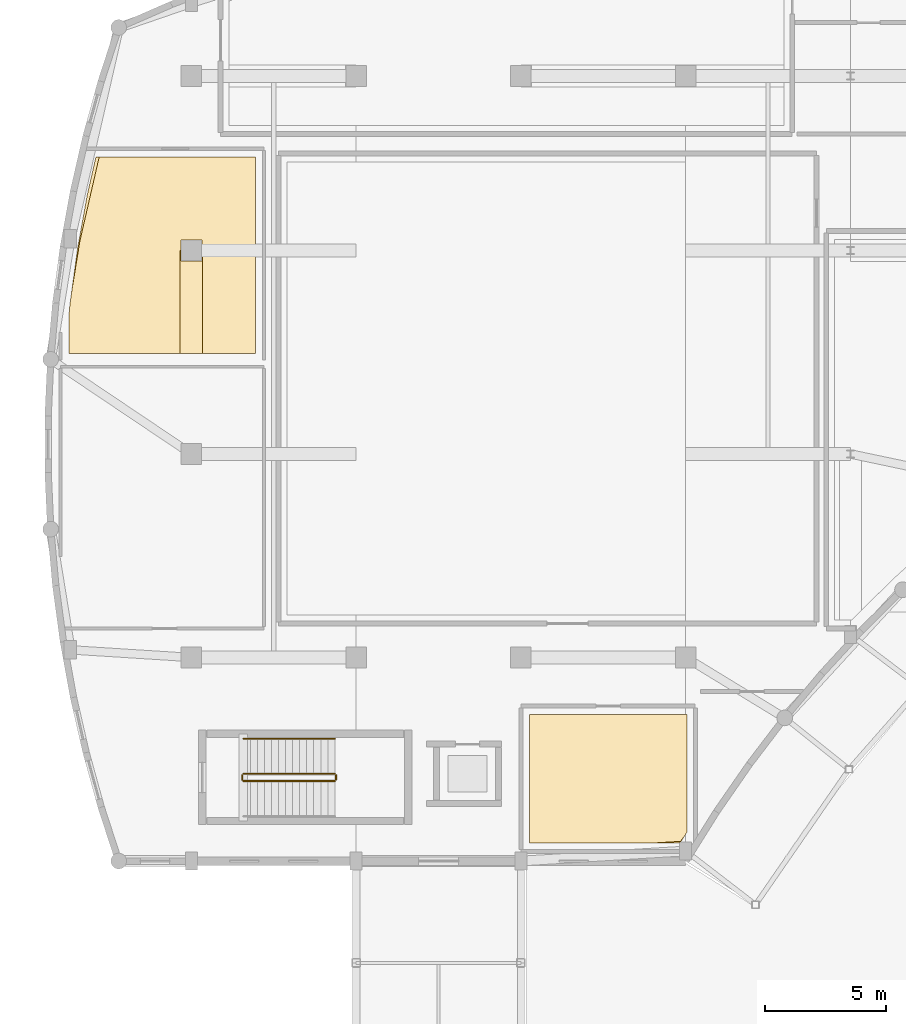
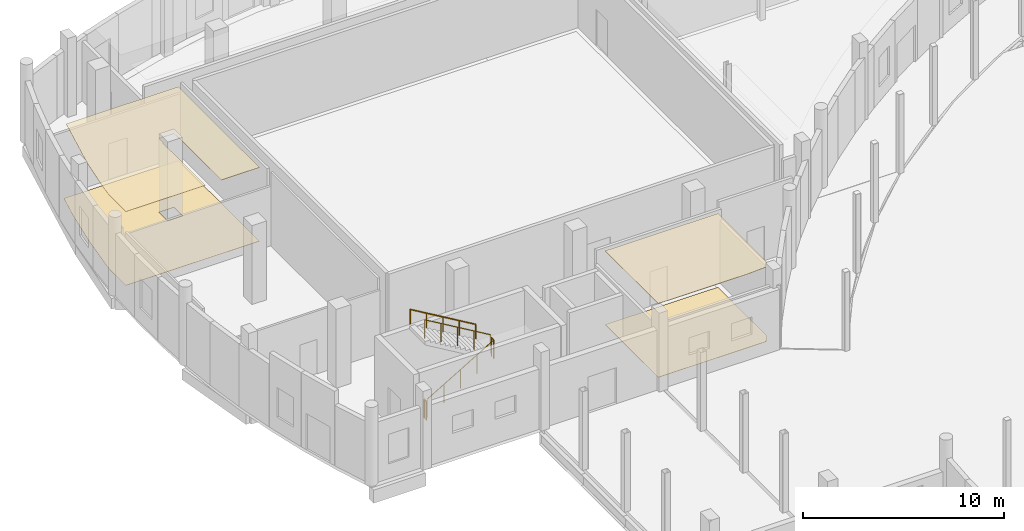
# One storey, part 85 of 97: 5 railings, 4 coverings.
"""IFC4 building model written with IfcOpenShell, lengths in metres."""

from ifc_helpers import new_model, si_unit, direction, frame, origin, origin_2d, place, context, subcontext, project, spatial, polyline, circle, outline, extrude, material, layer, layer_set, type_object, element, save


model = new_model("IFC4")

# Units and contexts
model_context = context("Model", 3, precision=1e-05, world=origin(), true_north=direction((0.0, 1.0)))
body_context = subcontext(model_context, "Body", "Model", "MODEL_VIEW")
ifc_project = project(units=[si_unit("LENGTHUNIT", "METRE"), si_unit("AREAUNIT", "SQUARE_METRE"), si_unit("VOLUMEUNIT", "CUBIC_METRE"), si_unit("PLANEANGLEUNIT", "RADIAN"), si_unit("MASSUNIT", "GRAM", prefix="KILO")], contexts=[model_context])

# Site, building, storey
site_placement = place(None, origin())
site = spatial("IfcSite", under=ifc_project, at=site_placement, CompositionType="ELEMENT")
building_placement = place(site_placement, origin())
building = spatial("IfcBuilding", under=site, at=building_placement, Name="Kisaragi Civic Commons", CompositionType="ELEMENT")
storey_placement = place(building_placement, origin())
storey = spatial("IfcBuildingStorey", under=building, at=storey_placement, Name="L00", CompositionType="ELEMENT", Elevation=0.0)

# Coverings
ifc_material_1 = material(Name="Perforated mineral-fibre & hinoki slat acoustic ceiling")
ifc_layer_1 = layer(ifc_material_1, 0.02490234375, Name="Perforated mineral-fibre & hinoki slat acoustic ceiling")
ifc_layer_set_1 = layer_set([ifc_layer_1], Name="Perforated mineral-fibre & hinoki slat acoustic ceiling")
covering_type_1 = type_object("IfcCoveringType", Name="CLG-02", PredefinedType="CEILING", material=ifc_layer_set_1)
covering_1_placement = place(storey_placement, frame((0.0, 0.0, 4.48291015625)))
element("IfcCovering", 1, at=covering_1_placement, inside=storey, type_object=covering_type_1, Name="First Aid and Referee Room acoustic ceiling", PredefinedType="CEILING", context=body_context, shape_type="SweptSolid", body=[
    extrude(outline(polyline([(1.75, 101.749755859375), (1.75, 100.14990234375), (6.340087890625, 100.14990234375), (6.340087890625, 104.39990234375), (6.3701171875, 104.39990234375), (6.3701171875, 104.830078125), (7.22998046875, 104.830078125), (7.22998046875, 104.39990234375), (7.260009765625, 104.39990234375), (7.260009765625, 100.14990234375), (9.449951171875, 100.14990234375), (9.449951171875, 108.25), (2.9931640625, 108.25), (2.20263671875, 104.804931640625), (1.8564453125, 102.673095703125), (1.787353515625, 102.164794921875), (1.75, 101.749755859375)])), origin(), (0.0, 0.0, 1.0), 0.025146484375),
])
covering_2_placement = place(storey_placement, frame((0.0, 0.0, 4.48291015625)))
element("IfcCovering", 2, at=covering_2_placement, inside=storey, type_object=covering_type_1, Name="Changing Room Male acoustic ceiling", PredefinedType="CEILING", context=body_context, shape_type="SweptSolid", body=[
    extrude(outline(polyline([(27.25, 80.391845703125), (27.25, 85.25), (20.75, 85.25), (20.75, 79.949951171875), (25.964111328125, 79.949951171875), (26.98486328125, 80.01220703125), (27.157958984375, 80.24462890625), (27.25, 80.391845703125)])), origin(), (0.0, 0.0, 1.0), 0.025146484375),
])
ifc_material_2 = material(Name="Honed Mino ceramic tile & resilience acoustic flooring")
ifc_layer_2 = layer(ifc_material_2, 0.01611328125, Name="Honed Mino ceramic tile & resilience acoustic flooring")
ifc_layer_set_2 = layer_set([ifc_layer_2], Name="Honed Mino ceramic tile & resilience acoustic flooring")
covering_type_2 = type_object("IfcCoveringType", Name="FLR-02", PredefinedType="FLOORING", material=ifc_layer_set_2)
covering_3_placement = place(storey_placement, origin())
element("IfcCovering", 3, at=covering_3_placement, inside=storey, type_object=covering_type_2, Name="First Aid and Referee Room floor finish", PredefinedType="FLOORING", context=body_context, shape_type="SweptSolid", body=[
    extrude(outline(polyline([(1.75, 100.14990234375), (9.449951171875, 100.14990234375), (9.449951171875, 108.25), (2.859130859375, 108.25), (2.51123046875, 106.727783203125), (2.09814453125, 104.45458984375), (1.787353515625, 102.164794921875), (1.75, 101.749755859375), (1.75, 100.14990234375)]), holes=[polyline([(7.22998046875, 103.969970703125), (6.3701171875, 103.969970703125), (6.3701171875, 104.830078125), (7.22998046875, 104.830078125), (7.22998046875, 103.969970703125)])]), origin(), (0.0, 0.0, 1.0), 0.01611328125),
])
covering_4_placement = place(storey_placement, origin())
element("IfcCovering", 4, at=covering_4_placement, inside=storey, type_object=covering_type_2, Name="Changing Room Male floor finish", PredefinedType="FLOORING", context=body_context, shape_type="SweptSolid", body=[
    extrude(outline(polyline([(27.25, 85.25), (20.75, 85.25), (20.75, 79.949951171875), (26.945068359375, 79.949951171875), (26.945068359375, 79.99462890625), (27.001220703125, 79.99462890625), (27.25, 80.391845703125), (27.25, 85.25)])), origin(), (0.0, 0.0, 1.0), 0.01611328125),
])

# Railings
ifc_material_3 = material(Name="Powder-coated architectural steel and hinoki cap rail", Category="steel")
railing_type_1 = type_object("IfcRailingType", Name="GRD-S1", PredefinedType="GUARDRAIL", material=ifc_material_3)
railing_1_placement = place(storey_placement, frame((8.949951171875, 82.5, 0.17138671875)))
element("IfcRailing", 5, at=railing_1_placement, inside=storey, type_object=railing_type_1, Name="L00 ST-S1 stair guard 1", PredefinedType="GUARDRAIL", context=body_context, shape_type="SweptSolid", body=[
    extrude(circle(Radius=0.02392578125, at=origin_2d()), frame((0.0, 0.0, 1.1259765625), z_axis=(0.860848830602, 0.0, 0.508860777473), x_axis=(0.0, 1.0, 0.0)), (0.0, 0.0, 1.0), 4.37939453125),
    extrude(circle(Radius=0.02099609375, at=origin_2d()), origin(), (0.0, 0.0, 1.0), 1.101806640625),
    extrude(circle(Radius=0.02099609375, at=origin_2d()), frame((0.9423828125, 0.0, 0.55712890625)), (0.0, 0.0, 1.0), 1.101806640625),
    extrude(circle(Radius=0.02099609375, at=origin_2d()), frame((1.885009765625, 0.0, 1.1142578125)), (0.0, 0.0, 1.0), 1.101806640625),
    extrude(circle(Radius=0.02099609375, at=origin_2d()), frame((2.82763671875, 0.0, 1.67138671875)), (0.0, 0.0, 1.0), 1.101806640625),
    extrude(circle(Radius=0.02099609375, at=origin_2d()), frame((3.77001953125, 0.0, 2.228515625)), (0.0, 0.0, 1.0), 1.101806640625),
])
railing_2_placement = place(storey_placement, frame((12.77001953125, 82.550048828125, 2.39990234375)))
element("IfcRailing", 6, at=railing_2_placement, inside=storey, type_object=railing_type_1, Name="L00 ST-S1 stair guard 2", PredefinedType="GUARDRAIL", context=body_context, shape_type="SweptSolid", body=[
    extrude(circle(Radius=0.02392578125, at=origin_2d()), frame((0.0, 0.0, 1.1259765625), z_axis=(0.0, 1.0, 0.0), x_axis=(-1.0, 0.0, 0.0)), (0.0, 0.0, 1.0), 0.199951171875),
    extrude(circle(Radius=0.02099609375, at=origin_2d()), origin(), (0.0, 0.0, 1.0), 1.101806640625),
    extrude(circle(Radius=0.02099609375, at=origin_2d()), frame((0.0, 0.199951171875, 0.0)), (0.0, 0.0, 1.0), 1.101806640625),
])
railing_3_placement = place(storey_placement, frame((12.719970703125, 82.800048828125, 2.571533203125)))
element("IfcRailing", 7, at=railing_3_placement, inside=storey, type_object=railing_type_1, Name="L00 ST-S1 stair guard 3", PredefinedType="GUARDRAIL", context=body_context, shape_type="SweptSolid", body=[
    extrude(circle(Radius=0.02392578125, at=origin_2d()), frame((0.0, 0.0, 1.1259765625), z_axis=(-0.860848830602, 0.0, 0.508860777473), x_axis=(0.0, -1.0, 0.0)), (0.0, 0.0, 1.0), 4.37939453125),
    extrude(circle(Radius=0.02099609375, at=origin_2d()), origin(), (0.0, 0.0, 1.0), 1.101806640625),
    extrude(circle(Radius=0.02099609375, at=origin_2d()), frame((-0.9423828125, 0.0, 0.55712890625)), (0.0, 0.0, 1.0), 1.101806640625),
    extrude(circle(Radius=0.02099609375, at=origin_2d()), frame((-1.885009765625, 0.0, 1.1142578125)), (0.0, 0.0, 1.0), 1.101806640625),
    extrude(circle(Radius=0.02099609375, at=origin_2d()), frame((-2.82763671875, 0.0, 1.67138671875)), (0.0, 0.0, 1.0), 1.101806640625),
    extrude(circle(Radius=0.02099609375, at=origin_2d()), frame((-3.77001953125, 0.0, 2.228515625)), (0.0, 0.0, 1.0), 1.101806640625),
])
railing_4_placement = place(storey_placement, frame((8.89990234375, 82.550048828125, 0.0)))
element("IfcRailing", 8, at=railing_4_placement, inside=storey, type_object=railing_type_1, Name="L00 ST-S1 stair guard 4", PredefinedType="GUARDRAIL", context=body_context, shape_type="SweptSolid", body=[
    extrude(circle(Radius=0.02392578125, at=origin_2d()), frame((0.0, 0.0, 1.1259765625), z_axis=(0.0, 1.0, 0.0), x_axis=(-1.0, 0.0, 0.0)), (0.0, 0.0, 1.0), 0.199951171875),
    extrude(circle(Radius=0.02099609375, at=origin_2d()), origin(), (0.0, 0.0, 1.0), 1.101806640625),
    extrude(circle(Radius=0.02099609375, at=origin_2d()), frame((0.0, 0.199951171875, 0.0)), (0.0, 0.0, 1.0), 1.101806640625),
])
railing_type_2 = type_object("IfcRailingType", Name="HRL-01", PredefinedType="HANDRAIL", material=ifc_material_3)
railing_5_placement = place(storey_placement, frame((12.719970703125, 84.25, 2.571533203125)))
element("IfcRailing", 9, at=railing_5_placement, inside=storey, type_object=railing_type_2, Name="L00 ST-S1 stair handrail 2", PredefinedType="HANDRAIL", context=body_context, shape_type="SweptSolid", body=[
    extrude(circle(Radius=0.02392578125, at=origin_2d()), frame((0.0, 0.0, 0.8759765625), z_axis=(-0.860848830602, 0.0, 0.508860777473), x_axis=(0.0, -1.0, 0.0)), (0.0, 0.0, 1.0), 4.37939453125),
    extrude(circle(Radius=0.02099609375, at=origin_2d()), origin(), (0.0, 0.0, 1.0), 0.851806640625),
    extrude(circle(Radius=0.02099609375, at=origin_2d()), frame((-0.9423828125, 0.0, 0.55712890625)), (0.0, 0.0, 1.0), 0.851806640625),
    extrude(circle(Radius=0.02099609375, at=origin_2d()), frame((-1.885009765625, 0.0, 1.1142578125)), (0.0, 0.0, 1.0), 0.851806640625),
    extrude(circle(Radius=0.02099609375, at=origin_2d()), frame((-2.82763671875, 0.0, 1.67138671875)), (0.0, 0.0, 1.0), 0.851806640625),
    extrude(circle(Radius=0.02099609375, at=origin_2d()), frame((-3.77001953125, 0.0, 2.228515625)), (0.0, 0.0, 1.0), 0.851806640625),
])

save(model, "model.ifc")
